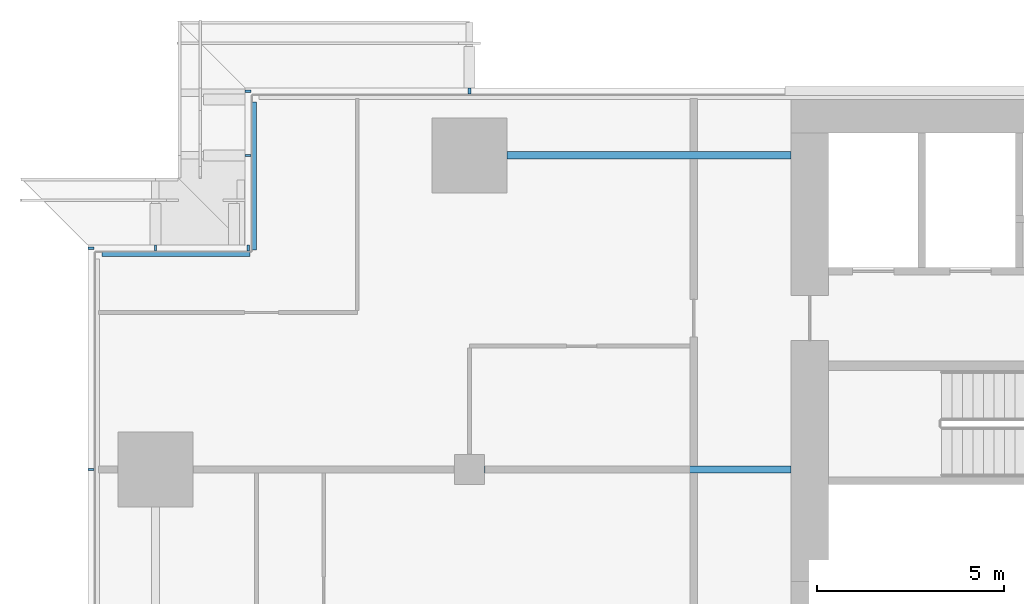
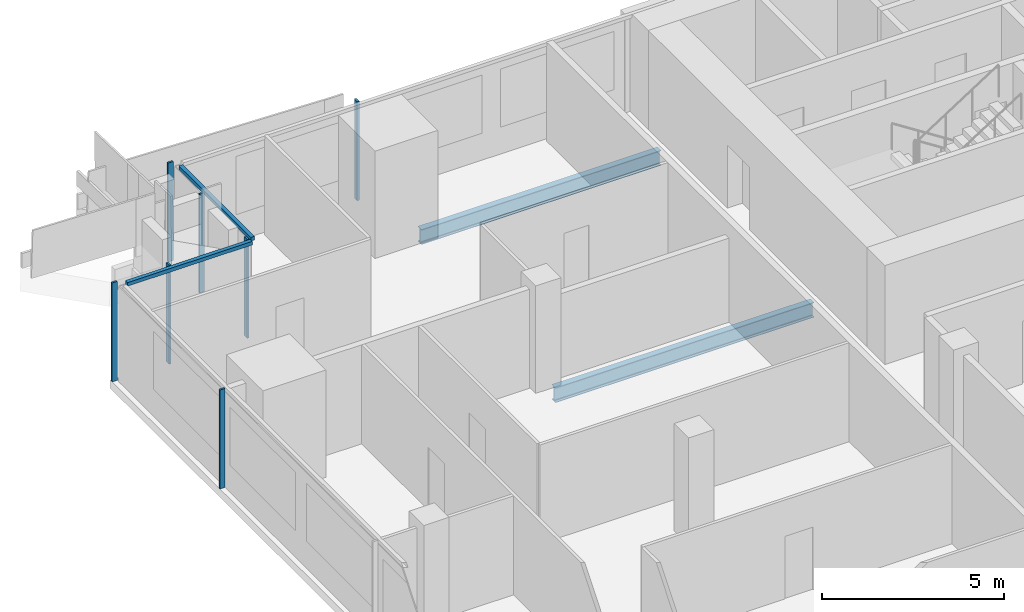
# One storey, part 10 of 30: 9 members, 2 beams, 4 elements without a shape of their own.
"""IFC4 building model written with IfcOpenShell, lengths in metres."""

from ifc_helpers import new_model, si_unit, direction, frame, origin, origin_2d, place, context, subcontext, project, spatial, rectangle, i_section, extrude, material, material_profile, profile_set, type_object, element, aggregate, save


model = new_model("IFC4")

# Units and contexts
model_context = context("Model", 3, precision=1e-05, world=origin(), true_north=direction((0.0, 1.0)))
body_context = subcontext(model_context, "Body", "Model", "MODEL_VIEW")
ifc_project = project(units=[si_unit("LENGTHUNIT", "METRE"), si_unit("AREAUNIT", "SQUARE_METRE"), si_unit("VOLUMEUNIT", "CUBIC_METRE"), si_unit("PLANEANGLEUNIT", "RADIAN"), si_unit("MASSUNIT", "GRAM", prefix="KILO")], contexts=[model_context])

# Site, building, storey
site_placement = place(None, origin())
site = spatial("IfcSite", under=ifc_project, at=site_placement, CompositionType="ELEMENT")
building_placement = place(site_placement, origin())
building = spatial("IfcBuilding", under=site, at=building_placement, Name="Saffron Gate Tower", CompositionType="ELEMENT")
storey_placement = place(building_placement, frame((0.0, 0.0, 127.64990234375)))
storey = spatial("IfcBuildingStorey", under=building, at=storey_placement, Name="L30", CompositionType="ELEMENT", Elevation=127.64990234375)

# Beams
ifc_material_1 = material(Name="Structural steel S355", Category="steel")
ifc_material_profile_1 = material_profile(ifc_material_1, i_section(OverallWidth=0.199951171875, OverallDepth=0.5, WebThickness=0.01025390625, FlangeThickness=0.01611328125, FilletRadius=0.02099609375, at=origin_2d()))
ifc_profile_set_1 = profile_set([ifc_material_profile_1], Name="Structural steel S355")
beam_type = type_object("IfcBeamType", Name="B10 IPE 500", PredefinedType="BEAM", material=ifc_profile_set_1)
beam_1_placement = place(storey_placement, frame((58.60009765625, 65.39990234375, -0.52978515625), z_axis=(1.0, 0.0, 0.0), x_axis=(0.0, 1.0, 0.0)))
element("IfcBeam", 1, at=beam_1_placement, inside=storey, type_object=beam_type, Name="B10 CORE TIE BEAM", PredefinedType="BEAM", context=body_context, shape_type="SweptSolid", body=[
    extrude(i_section(OverallWidth=0.199951171875, OverallDepth=0.5, WebThickness=0.01025390625, FlangeThickness=0.01611328125, FilletRadius=0.02099609375, at=origin_2d()), origin(), (0.0, 0.0, 1.0), 8.199951171875),
])
beam_2_placement = place(storey_placement, frame((59.199951171875, 73.800048828125, -0.52978515625), z_axis=(1.0, 0.0, 0.0), x_axis=(0.0, 1.0, 0.0)))
element("IfcBeam", 2, at=beam_2_placement, inside=storey, type_object=beam_type, Name="B10 CORE TIE BEAM", PredefinedType="BEAM", context=body_context, shape_type="SweptSolid", body=[
    extrude(i_section(OverallWidth=0.199951171875, OverallDepth=0.5, WebThickness=0.01025390625, FlangeThickness=0.01611328125, FilletRadius=0.02099609375, at=origin_2d()), origin(), (0.0, 0.0, 1.0), 7.60009765625),
])

# Curtain wall, members
ifc_material_2 = material(Name="Aluminium, bronze anodised", Category="aluminium")
curtain_wall_type_1 = type_object("IfcCurtainWallType", Name="CWS2 curtain wall side facades", PredefinedType="NOTDEFINED", material=ifc_material_2)
curtain_wall_1_placement = place(storey_placement, origin())
curtain_wall_1 = element("IfcCurtainWall", 3, at=curtain_wall_1_placement, inside=storey, type_object=curtain_wall_type_1, Name="CWS2 run 10", PredefinedType="NOTDEFINED")
ifc_material_profile_2 = material_profile(ifc_material_2, rectangle(XDim=0.159912109375, YDim=0.06005859375, at=origin_2d()))
ifc_profile_set_2 = profile_set([ifc_material_profile_2], Name="Aluminium, bronze anodised")
member_type_1 = type_object("IfcMemberType", Name="CWS2 mullion 60x160", PredefinedType="MULLION", material=ifc_profile_set_2)
member_1_placement = place(storey_placement, frame((48.080078125, 71.320068359375, 0.0), z_axis=(0.0, 0.0, 1.0), x_axis=(1.0, 0.0, 0.0)))
member_1 = element("IfcMember", 4, at=member_1_placement, type_object=member_type_1, Name="CWS2 mullion 1", PredefinedType="MULLION", context=body_context, shape_type="SweptSolid", body=[
    extrude(rectangle(XDim=0.159912109375, YDim=0.06005859375, at=origin_2d()), origin(), (0.0, 0.0, 1.0), 3.320068359375),
])
member_2_placement = place(storey_placement, frame((48.080078125, 65.39990234375, 0.0), z_axis=(0.0, 0.0, 1.0), x_axis=(1.0, 0.0, 0.0)))
member_2 = element("IfcMember", 5, at=member_2_placement, type_object=member_type_1, Name="CWS2 mullion 2", PredefinedType="MULLION", context=body_context, shape_type="SweptSolid", body=[
    extrude(rectangle(XDim=0.159912109375, YDim=0.06005859375, at=origin_2d()), origin(), (0.0, 0.0, 1.0), 3.320068359375),
])
aggregate(curtain_wall_1, [member_1, member_2])

# Curtain wall, member
curtain_wall_type_2 = type_object("IfcCurtainWallType", Name="CWS3 curtain wall rear facade", PredefinedType="NOTDEFINED", material=ifc_material_2)
curtain_wall_2_placement = place(storey_placement, origin())
curtain_wall_2 = element("IfcCurtainWall", 6, at=curtain_wall_2_placement, inside=storey, type_object=curtain_wall_type_2, Name="CWS3 run 7", PredefinedType="NOTDEFINED")
ifc_material_profile_3 = material_profile(ifc_material_2, rectangle(XDim=0.159912109375, YDim=0.070068359375, at=origin_2d()))
ifc_profile_set_3 = profile_set([ifc_material_profile_3], Name="Aluminium, bronze anodised")
member_type_2 = type_object("IfcMemberType", Name="CWS3 mullion 70x160", PredefinedType="MULLION", material=ifc_profile_set_3)
member_3_placement = place(storey_placement, frame((58.199951171875, 75.52001953125, 0.0), z_axis=(0.0, 0.0, 1.0), x_axis=(0.0, -1.0, 0.0)))
member_3 = element("IfcMember", 7, at=member_3_placement, type_object=member_type_2, Name="CWS3 mullion 9", PredefinedType="MULLION", context=body_context, shape_type="SweptSolid", body=[
    extrude(rectangle(XDim=0.159912109375, YDim=0.070068359375, at=origin_2d()), origin(), (0.0, 0.0, 1.0), 3.320068359375),
])
aggregate(curtain_wall_2, [member_3])

curtain_wall_type_3 = type_object("IfcCurtainWallType", Name="CWS4 curtain wall corner returns", PredefinedType="NOTDEFINED", material=ifc_material_2)
curtain_wall_3_placement = place(storey_placement, origin())
curtain_wall_3 = element("IfcCurtainWall", 8, at=curtain_wall_3_placement, inside=storey, type_object=curtain_wall_type_3, Name="CWS4 run 8", PredefinedType="NOTDEFINED")
ifc_material_profile_4 = material_profile(ifc_material_2, rectangle(XDim=0.1201171875, YDim=0.1201171875, at=origin_2d()))
ifc_profile_set_4 = profile_set([ifc_material_profile_4], Name="Aluminium, bronze anodised")
member_type_3 = type_object("IfcMemberType", Name="CWS4 head transom", PredefinedType="USERDEFINED", material=ifc_profile_set_4)
member_4_placement = place(storey_placement, frame((52.447998046875, 75.23193359375, 3.260009765625), z_axis=(0.0, -1.0, 0.0), x_axis=(1.0, 0.0, 0.0)))
member_4 = element("IfcMember", 9, at=member_4_placement, type_object=member_type_3, Name="CWS4 head transom", ObjectType="TRANSOM", PredefinedType="USERDEFINED", context=body_context, shape_type="SweptSolid", body=[
    extrude(rectangle(XDim=0.1201171875, YDim=0.1201171875, at=origin_2d()), origin(), (0.0, 0.0, 1.0), 3.9599609375),
])

curtain_wall_4_placement = place(storey_placement, origin())
curtain_wall_4 = element("IfcCurtainWall", 10, at=curtain_wall_4_placement, inside=storey, type_object=curtain_wall_type_3, Name="CWS4 run 9", PredefinedType="NOTDEFINED")
member_5_placement = place(storey_placement, frame((52.327880859375, 71.152099609375, 3.260009765625), z_axis=(-1.0, 0.0, 0.0), x_axis=(0.0, -1.0, 0.0)))
member_5 = element("IfcMember", 11, at=member_5_placement, type_object=member_type_3, Name="CWS4 head transom", ObjectType="TRANSOM", PredefinedType="USERDEFINED", context=body_context, shape_type="SweptSolid", body=[
    extrude(rectangle(XDim=0.1201171875, YDim=0.1201171875, at=origin_2d()), origin(), (0.0, 0.0, 1.0), 3.9599609375),
])

# Member
ifc_material_profile_5 = material_profile(ifc_material_2, rectangle(XDim=0.159912109375, YDim=0.06005859375, at=origin_2d()))
ifc_profile_set_5 = profile_set([ifc_material_profile_5], Name="Aluminium, bronze anodised")
member_type_4 = type_object("IfcMemberType", Name="CWS4 mullion 60x160", PredefinedType="MULLION", material=ifc_profile_set_5)
member_6_placement = place(storey_placement, frame((52.280029296875, 75.52001953125, 0.0), z_axis=(0.0, 0.0, 1.0), x_axis=(1.0, 0.0, 0.0)))
member_6 = element("IfcMember", 12, at=member_6_placement, type_object=member_type_4, Name="CWS4 mullion 1", PredefinedType="MULLION", context=body_context, shape_type="SweptSolid", body=[
    extrude(rectangle(XDim=0.159912109375, YDim=0.06005859375, at=origin_2d()), origin(), (0.0, 0.0, 1.0), 3.320068359375),
])

member_7_placement = place(storey_placement, frame((52.280029296875, 73.800048828125, 0.0), z_axis=(0.0, 0.0, 1.0), x_axis=(1.0, 0.0, 0.0)))
member_7 = element("IfcMember", 13, at=member_7_placement, type_object=member_type_4, Name="CWS4 mullion 2", PredefinedType="MULLION", context=body_context, shape_type="SweptSolid", body=[
    extrude(rectangle(XDim=0.159912109375, YDim=0.06005859375, at=origin_2d()), origin(), (0.0, 0.0, 1.0), 3.320068359375),
])

aggregate(curtain_wall_3, [member_6, member_7, member_4])

member_8_placement = place(storey_placement, frame((52.280029296875, 71.320068359375, 0.0), z_axis=(0.0, 0.0, 1.0), x_axis=(0.0, -1.0, 0.0)))
member_8 = element("IfcMember", 14, at=member_8_placement, type_object=member_type_4, Name="CWS4 mullion 1", PredefinedType="MULLION", context=body_context, shape_type="SweptSolid", body=[
    extrude(rectangle(XDim=0.159912109375, YDim=0.06005859375, at=origin_2d()), origin(), (0.0, 0.0, 1.0), 3.320068359375),
])

member_9_placement = place(storey_placement, frame((49.800048828125, 71.320068359375, 0.0), z_axis=(0.0, 0.0, 1.0), x_axis=(0.0, -1.0, 0.0)))
member_9 = element("IfcMember", 15, at=member_9_placement, type_object=member_type_4, Name="CWS4 mullion 2", PredefinedType="MULLION", context=body_context, shape_type="SweptSolid", body=[
    extrude(rectangle(XDim=0.159912109375, YDim=0.06005859375, at=origin_2d()), origin(), (0.0, 0.0, 1.0), 3.320068359375),
])

aggregate(curtain_wall_4, [member_8, member_9, member_5])

save(model, "model.ifc")
